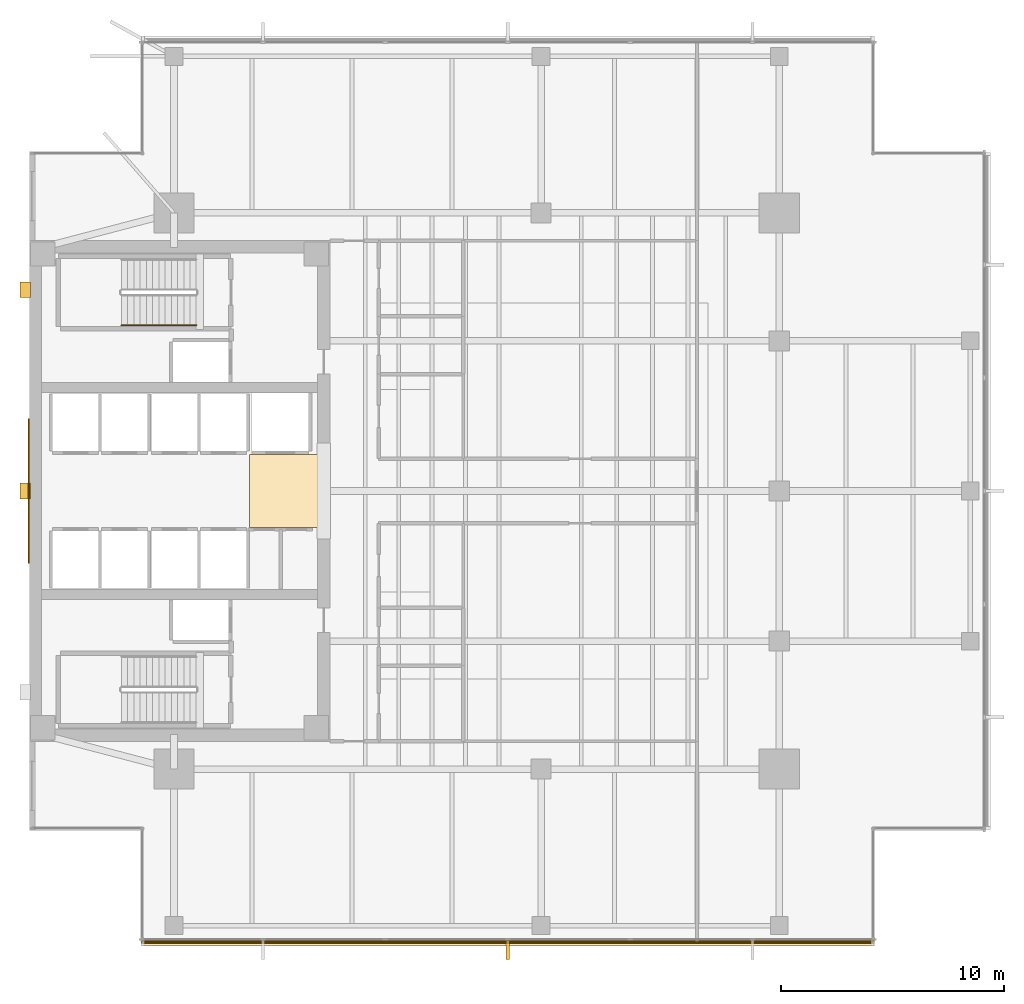
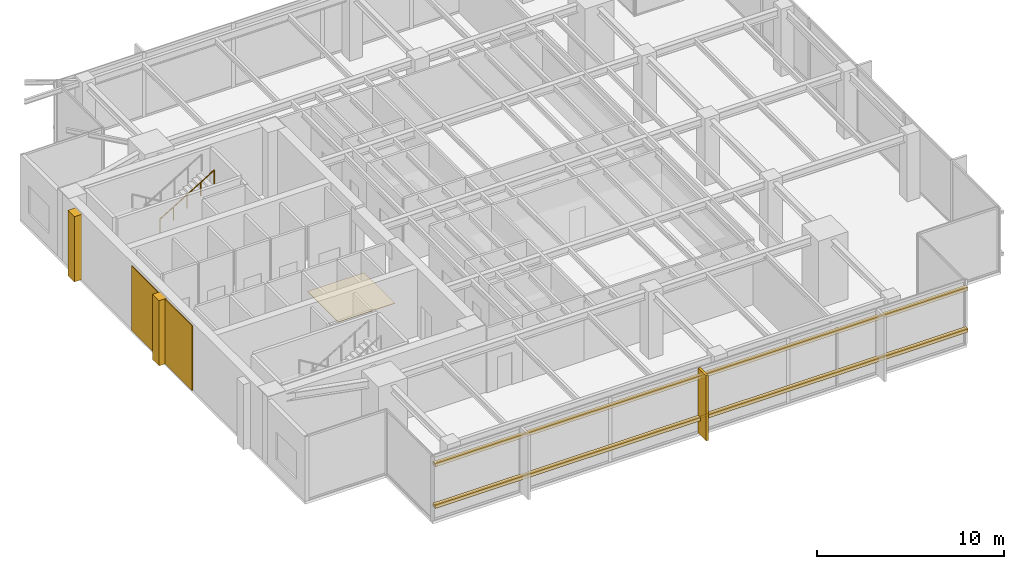
# One storey, part 12 of 14: 7 coverings, 2 shading devices, 1 railing.
"""IFC4 building model written with IfcOpenShell, lengths in metres."""

from ifc_helpers import new_model, si_unit, direction, frame, origin, origin_2d, place, context, subcontext, project, spatial, polyline, rectangle, circle, outline, extrude, material, layer, layer_set, material_profile, profile_set, type_object, element, save


model = new_model("IFC4")

# Units and contexts
model_context = context("Model", 3, precision=1e-05, world=origin(), true_north=direction((0.0, 1.0)))
body_context = subcontext(model_context, "Body", "Model", "MODEL_VIEW")
ifc_project = project(units=[si_unit("LENGTHUNIT", "METRE"), si_unit("AREAUNIT", "SQUARE_METRE"), si_unit("VOLUMEUNIT", "CUBIC_METRE"), si_unit("PLANEANGLEUNIT", "RADIAN"), si_unit("MASSUNIT", "GRAM", prefix="KILO")], contexts=[model_context])

# Site, building, storey
site_placement = place(None, origin())
site = spatial("IfcSite", under=ifc_project, at=site_placement, CompositionType="ELEMENT")
building_placement = place(site_placement, origin())
building = spatial("IfcBuilding", under=site, at=building_placement, Name="Kinhvarn Gate Tower", CompositionType="ELEMENT")
storey_placement = place(building_placement, frame((0.0, 0.0, 183.64990234375)))
storey = spatial("IfcBuildingStorey", under=building, at=storey_placement, Name="L48", CompositionType="ELEMENT", Elevation=183.64990234375)

# Coverings
ifc_material_1 = material(Name="Fired architectural terracotta", Category="masonry")
ifc_layer_1 = layer(ifc_material_1, 0.239990234375)
ifc_layer_set_1 = layer_set([ifc_layer_1], Name="Fired architectural terracotta")
covering_type_1 = type_object("IfcCoveringType", Name="COV-BAG-220", PredefinedType="CLADDING", material=ifc_layer_set_1)
for number, where, name in (
    (1, (0.0, 0.0, 0.940185546875), "Terracotta Horizontal Sunscreen Band TBG-220 (L48)"),
    (2, (0.0, 0.0, 3.66015625), "Terracotta Horizontal Sunscreen Band TBG-220 (L48)"),
):
    element("IfcCovering", number, at=place(storey_placement, frame(where)), inside=storey, type_object=covering_type_1, Name=name, PredefinedType="CLADDING", context=body_context, shape_type="SweptSolid", body=[
        extrude(outline(polyline([(9.5400390625, 5.0400390625), (42.4599609375, 5.0400390625), (42.4599609375, 4.800048828125), (9.5400390625, 4.800048828125), (9.5400390625, 5.0400390625)])), origin(), (0.0, 0.0, 1.0), 0.219970703125),
    ])
ifc_layer_2 = layer(ifc_material_1, 0.050048828125)
ifc_layer_set_2 = layer_set([ifc_layer_2], Name="Fired architectural terracotta")
covering_type_2 = type_object("IfcCoveringType", Name="COV-CLD-50", PredefinedType="CLADDING", material=ifc_layer_set_2)
covering_1_placement = place(storey_placement, origin())
element("IfcCovering", 3, at=covering_1_placement, inside=storey, type_object=covering_type_2, Name="West Core Terracotta Cladding Feature Panel (L48)", PredefinedType="CLADDING", context=body_context, shape_type="SweptSolid", body=[
    extrude(outline(polyline([(4.449951171875, 22.0), (4.5, 22.0), (4.5, 28.5), (4.449951171875, 28.5), (4.449951171875, 22.0)])), origin(), (0.0, 0.0, 1.0), 4.22021484375),
])
ifc_layer_3 = layer(ifc_material_1, 0.139892578125)
ifc_layer_set_3 = layer_set([ifc_layer_3], Name="Fired architectural terracotta")
covering_type_3 = type_object("IfcCoveringType", Name="COV-FIN-850", PredefinedType="CLADDING", material=ifc_layer_set_3)
covering_2_placement = place(storey_placement, frame((0.0, 0.0, -0.02001953125)))
element("IfcCovering", 4, at=covering_2_placement, inside=storey, type_object=covering_type_3, Name="Vertical Terracotta Expressive Fin TFN-850 (L48)", PredefinedType="CLADDING", context=body_context, shape_type="SweptSolid", body=[
    extrude(outline(polyline([(25.929931640625, 5.050048828125), (26.070068359375, 5.050048828125), (26.070068359375, 4.199951171875), (25.929931640625, 4.199951171875), (25.929931640625, 5.050048828125)])), origin(), (0.0, 0.0, 1.0), 4.260009765625),
])
ifc_material_2 = material(Name="Honed granite architectural paving", Category="masonry")
ifc_layer_4 = layer(ifc_material_2, 0.030029296875)
ifc_layer_set_4 = layer_set([ifc_layer_4], Name="Honed granite architectural paving")
covering_type_4 = type_object("IfcCoveringType", Name="COV-FLR-30", PredefinedType="FLOORING", material=ifc_layer_set_4)
covering_3_placement = place(storey_placement, origin())
element("IfcCovering", 5, at=covering_3_placement, inside=storey, type_object=covering_type_4, Name="Honed Granite Lift Lobby Flooring (L48)", PredefinedType="FLOORING", context=body_context, shape_type="SweptSolid", body=[
    extrude(outline(polyline([(14.39990234375, 23.60009765625), (14.39990234375, 26.89990234375), (17.89990234375, 26.89990234375), (17.89990234375, 23.60009765625), (14.39990234375, 23.60009765625)])), origin(), (0.0, 0.0, 1.0), 0.030029296875),
])
ifc_material_3 = material(Name="Precast white architectural concrete C40/50", Category="concrete")
ifc_layer_5 = layer(ifc_material_3, 0.47998046875)
ifc_layer_set_5 = layer_set([ifc_layer_5], Name="Precast white architectural concrete C40/50")
covering_type_5 = type_object("IfcCoveringType", Name="COV-RIB-450", PredefinedType="CLADDING", material=ifc_layer_set_5)
covering_4_placement = place(storey_placement, frame((0.0, 0.0, -0.02001953125)))
element("IfcCovering", 6, at=covering_4_placement, inside=storey, type_object=covering_type_5, Name="West Core Sculptural Concrete Relief Rib CRB-450 (L48)", PredefinedType="CLADDING", context=body_context, shape_type="SweptSolid", body=[
    extrude(outline(polyline([(4.080078125, 24.89990234375), (4.56005859375, 24.89990234375), (4.56005859375, 25.60009765625), (4.080078125, 25.60009765625), (4.080078125, 24.89990234375)])), origin(), (0.0, 0.0, 1.0), 4.260009765625),
])
covering_5_placement = place(storey_placement, frame((0.0, 0.0, -0.02001953125)))
element("IfcCovering", 7, at=covering_5_placement, inside=storey, type_object=covering_type_5, Name="West Core Sculptural Concrete Relief Rib CRB-450 (L48)", PredefinedType="CLADDING", context=body_context, shape_type="SweptSolid", body=[
    extrude(outline(polyline([(4.080078125, 33.949951171875), (4.56005859375, 33.949951171875), (4.56005859375, 34.64990234375), (4.080078125, 34.64990234375), (4.080078125, 33.949951171875)])), origin(), (0.0, 0.0, 1.0), 4.260009765625),
])

# Railing
ifc_material_4 = material(Name="Steel S355", Category="steel")
railing_type = type_object("IfcRailingType", Name="RL-ST-HND", PredefinedType="HANDRAIL", material=ifc_material_4)
railing_placement = place(storey_placement, frame((8.639892578125, 32.699951171875, 2.369384765625)))
element("IfcRailing", 8, at=railing_placement, inside=storey, type_object=railing_type, Name="L48 ST2 stair handrail 2", PredefinedType="HANDRAIL", context=body_context, shape_type="SweptSolid", body=[
    extrude(circle(Radius=0.02392578125, at=origin_2d()), frame((0.0, 0.0, 0.8759765625), z_axis=(0.855836976705, 0.0, 0.517245656632), x_axis=(0.0, 1.0, 0.0)), (0.0, 0.0, 1.0), 3.926025390625),
    extrude(circle(Radius=0.02099609375, at=origin_2d()), origin(), (0.0, 0.0, 1.0), 0.851806640625),
    extrude(circle(Radius=0.02099609375, at=origin_2d()), frame((0.840087890625, 0.0, 0.5078125)), (0.0, 0.0, 1.0), 0.851806640625),
    extrude(circle(Radius=0.02099609375, at=origin_2d()), frame((1.68017578125, 0.0, 1.015380859375)), (0.0, 0.0, 1.0), 0.851806640625),
    extrude(circle(Radius=0.02099609375, at=origin_2d()), frame((2.52001953125, 0.0, 1.52294921875)), (0.0, 0.0, 1.0), 0.851806640625),
    extrude(circle(Radius=0.02099609375, at=origin_2d()), frame((3.360107421875, 0.0, 2.03076171875)), (0.0, 0.0, 1.0), 0.851806640625),
])

# Shading devices
ifc_material_profile = material_profile(ifc_material_1, rectangle(XDim=0.06005859375, YDim=0.139892578125, at=origin_2d()), Name="TC 60x140")
ifc_profile_set = profile_set([ifc_material_profile], Name="Fired architectural terracotta")
shading_device_type = type_object("IfcShadingDeviceType", Name="SHD-BAG-180", PredefinedType="USERDEFINED", material=ifc_profile_set)
for number, where, z_axis, x_axis, name in (
    (9, (9.5400390625, 4.965087890625, 1.050048828125), (1.0, 0.0, 0.0), (0.0, 1.0, 0.0), "Fired Terracotta Baguette Screen Rod 60x140 mm (L48)"),
    (10, (9.5400390625, 4.965087890625, 3.77001953125), (1.0, 0.0, 0.0), (0.0, 1.0, 0.0), "Fired Terracotta Baguette Screen Rod 60x140 mm (L48)"),
):
    element("IfcShadingDevice", number, at=place(storey_placement, frame(where, z_axis=z_axis, x_axis=x_axis)), inside=storey, type_object=shading_device_type, Name=name, ObjectType="BAGUETTE", PredefinedType="USERDEFINED", context=body_context, shape_type="SweptSolid", body=[
        extrude(rectangle(XDim=0.06005859375, YDim=0.139892578125, at=origin_2d()), origin(), (0.0, 0.0, 1.0), 32.919921875),
    ])

save(model, "model.ifc")
